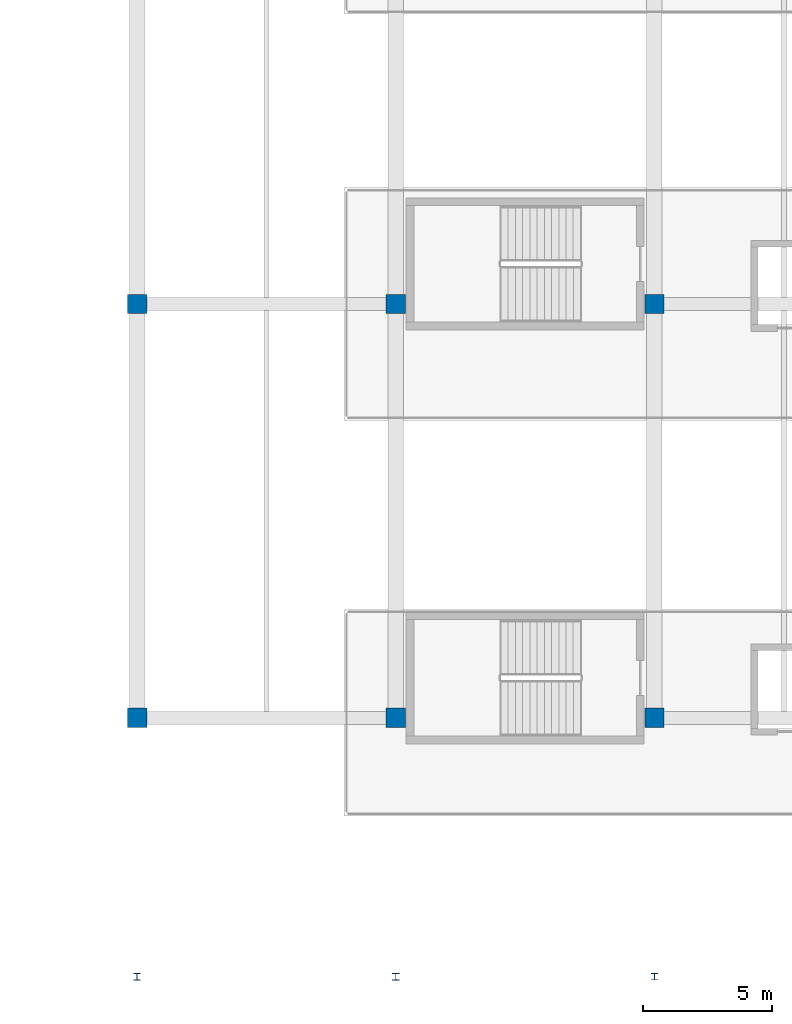
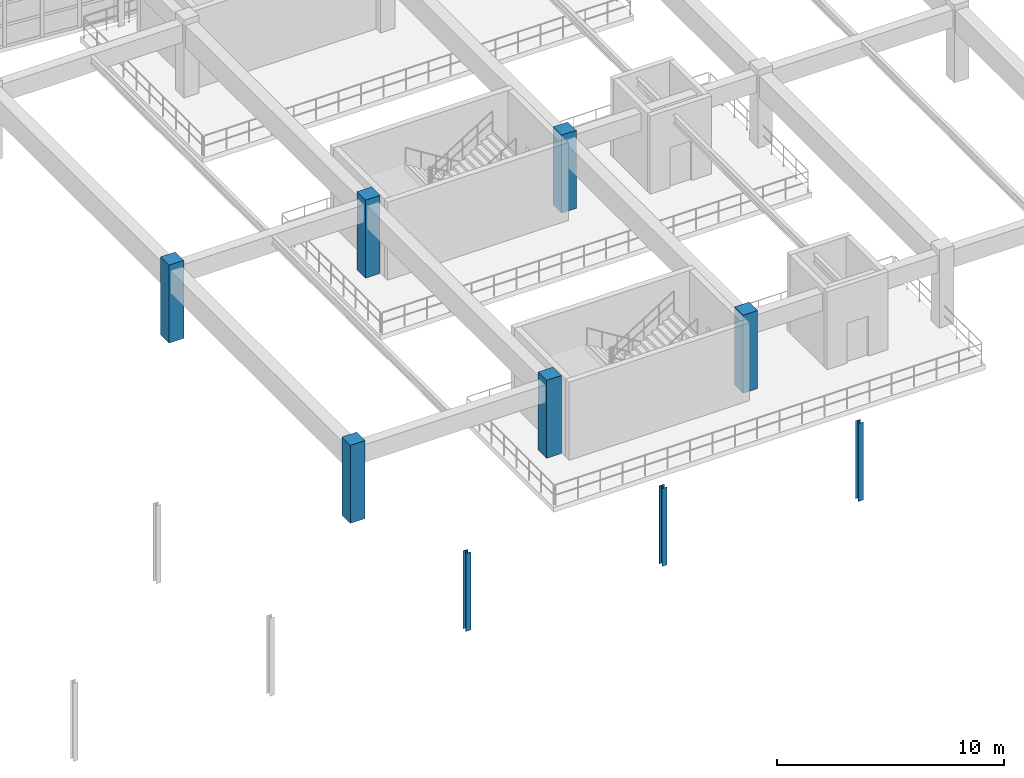
# One storey, part 3 of 100: 9 columns.
"""IFC4 building model written with IfcOpenShell, lengths in metres."""

from ifc_helpers import new_model, si_unit, direction, frame, origin, origin_2d, place, context, subcontext, project, spatial, rectangle, i_section, extrude, material, material_profile, profile_set, type_object, element, save


model = new_model("IFC4")

# Units and contexts
model_context = context("Model", 3, precision=1e-05, world=origin(), true_north=direction((0.0, 1.0)))
body_context = subcontext(model_context, "Body", "Model", "MODEL_VIEW")
ifc_project = project(units=[si_unit("LENGTHUNIT", "METRE"), si_unit("AREAUNIT", "SQUARE_METRE"), si_unit("VOLUMEUNIT", "CUBIC_METRE"), si_unit("PLANEANGLEUNIT", "RADIAN"), si_unit("MASSUNIT", "GRAM", prefix="KILO")], contexts=[model_context])

# Site, building, storey
site_placement = place(None, origin())
site = spatial("IfcSite", under=ifc_project, at=site_placement, CompositionType="ELEMENT")
building_placement = place(site_placement, origin())
building = spatial("IfcBuilding", under=site, at=building_placement, Name="Kivolera Central Railway Station", CompositionType="ELEMENT")
storey_placement = place(building_placement, frame((0.0, 0.0, 5.39990234375)))
storey = spatial("IfcBuildingStorey", under=building, at=storey_placement, Name="L01", CompositionType="ELEMENT", Elevation=5.39990234375)

# Columns
ifc_material_1 = material(Name="Concrete C40/50", Category="concrete")
ifc_material_profile_1 = material_profile(ifc_material_1, rectangle(XDim=0.75, YDim=0.75, at=origin_2d()), Name="RC 750x750")
ifc_profile_set_1 = profile_set([ifc_material_profile_1], Name="Concrete C40/50")
column_type_1 = type_object("IfcColumnType", Name="COL-RC-750", PredefinedType="COLUMN", material=ifc_profile_set_1)
for number, where, z_axis, x_axis, name in (
    (1, (48.0, 16.0, 0.0), (0.0, 0.0, 1.0), (1.0, 0.0, 0.0), "L01 Train Shed Column 5-B"),
    (2, (48.0, 32.0, 0.0), (0.0, 0.0, 1.0), (1.0, 0.0, 0.0), "L01 Train Shed Column 5-C"),
    (3, (58.0, 16.0, 0.0), (0.0, 0.0, 1.0), (1.0, 0.0, 0.0), "L01 Train Shed Column 6-B"),
    (4, (58.0, 32.0, 0.0), (0.0, 0.0, 1.0), (1.0, 0.0, 0.0), "L01 Train Shed Column 6-C"),
    (5, (68.0, 16.0, 0.0), (0.0, 0.0, 1.0), (1.0, 0.0, 0.0), "L01 Train Shed Column 7-B"),
    (6, (68.0, 32.0, 0.0), (0.0, 0.0, 1.0), (1.0, 0.0, 0.0), "L01 Train Shed Column 7-C"),
):
    element("IfcColumn", number, at=place(storey_placement, frame(where, z_axis=z_axis, x_axis=x_axis)), inside=storey, type_object=column_type_1, Name=name, PredefinedType="COLUMN", context=body_context, shape_type="SweptSolid", body=[
        extrude(rectangle(XDim=0.75, YDim=0.75, at=origin_2d()), origin(), (0.0, 0.0, 1.0), 4.2001953125),
    ])
ifc_material_2 = material(Name="Steel S355", Category="steel")
ifc_material_profile_2 = material_profile(ifc_material_2, i_section(OverallWidth=0.25634765625, OverallDepth=0.26025390625, WebThickness=0.01025390625, FlangeThickness=0.017333984375, FilletRadius=0.0126953125, at=origin_2d()), Name="UC 254x254x89")
ifc_profile_set_2 = profile_set([ifc_material_profile_2], Name="Steel S355")
column_type_2 = type_object("IfcColumnType", Name="COL-STL-UC254", PredefinedType="COLUMN", material=ifc_profile_set_2)
for number, where, z_axis, x_axis, name in (
    (7, (48.0, 6.0, 0.0), (0.0, 0.0, 1.0), (1.0, 0.0, 0.0), "L01 Train Shed Column 5-A"),
    (8, (58.0, 6.0, 0.0), (0.0, 0.0, 1.0), (1.0, 0.0, 0.0), "L01 Train Shed Column 6-A"),
    (9, (68.0, 6.0, 0.0), (0.0, 0.0, 1.0), (1.0, 0.0, 0.0), "L01 Train Shed Column 7-A"),
):
    element("IfcColumn", number, at=place(storey_placement, frame(where, z_axis=z_axis, x_axis=x_axis)), inside=storey, type_object=column_type_2, Name=name, PredefinedType="COLUMN", context=body_context, shape_type="SweptSolid", body=[
        extrude(i_section(OverallWidth=0.25634765625, OverallDepth=0.26025390625, WebThickness=0.01025390625, FlangeThickness=0.017333984375, FilletRadius=0.0126953125, at=origin_2d()), origin(), (0.0, 0.0, 1.0), 4.2001953125),
    ])

save(model, "model.ifc")
